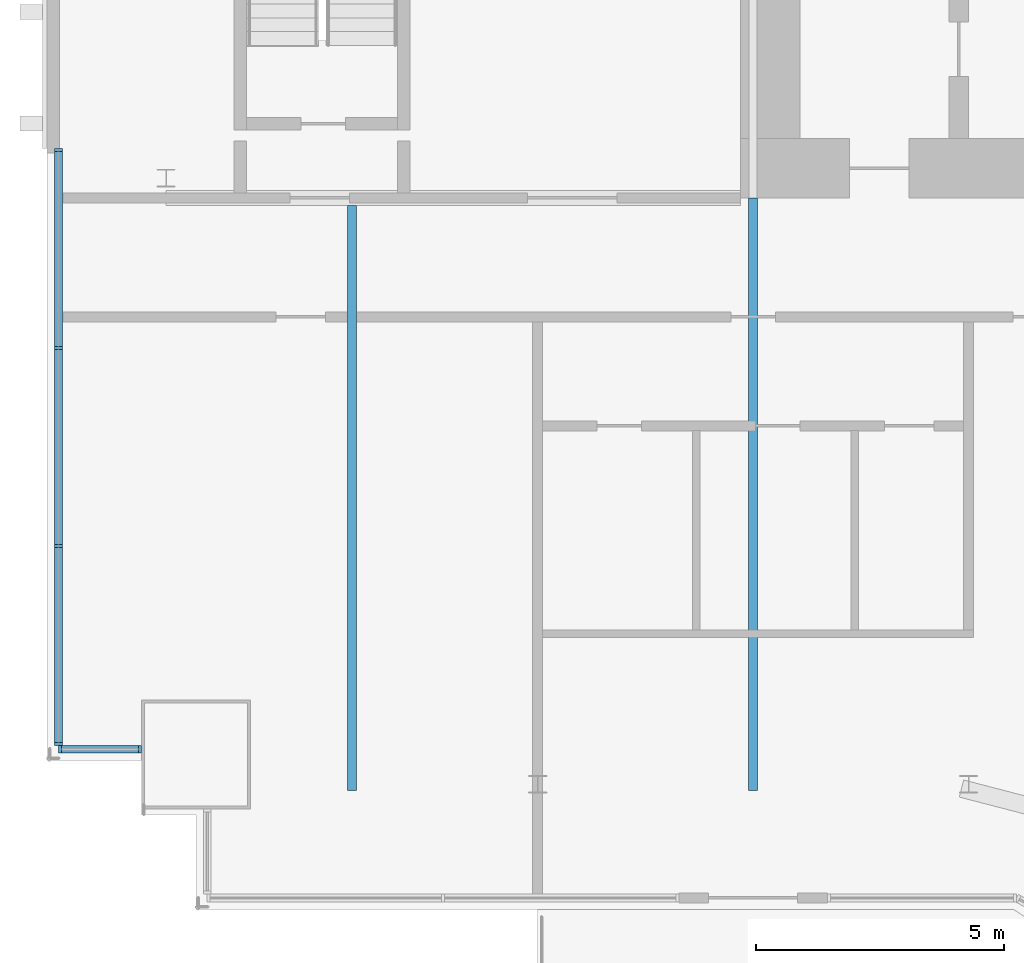
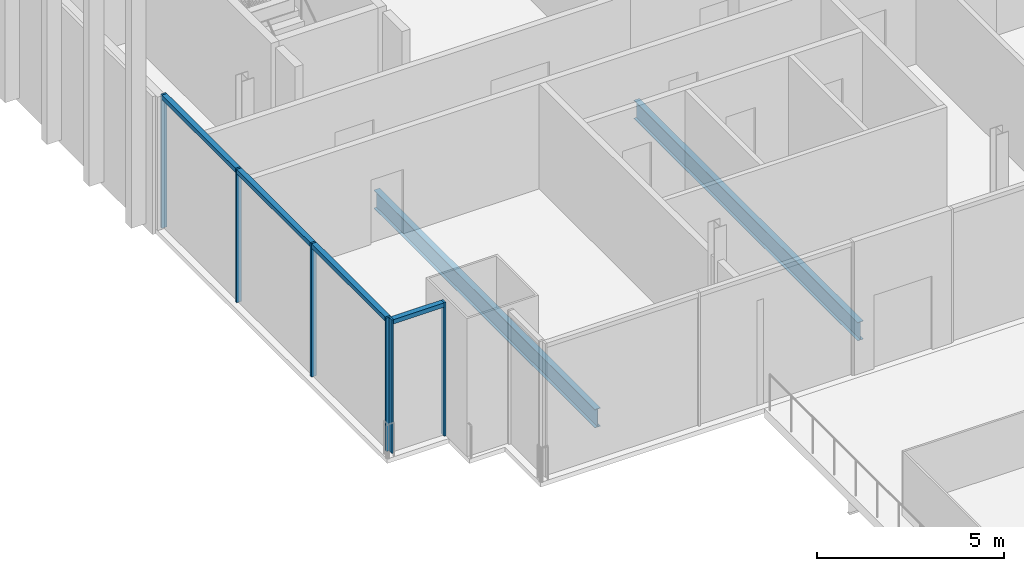
# One storey, part 6 of 22: 10 members, 2 beams, 2 elements without a shape of their own.
"""IFC4 building model written with IfcOpenShell, lengths in metres."""

from ifc_helpers import new_model, si_unit, direction, frame, origin, origin_2d, place, context, subcontext, project, spatial, rectangle, i_section, extrude, material, material_profile, profile_set, type_object, element, aggregate, save


model = new_model("IFC4")

# Units and contexts
model_context = context("Model", 3, precision=1e-05, world=origin(), true_north=direction((0.0, 1.0)))
body_context = subcontext(model_context, "Body", "Model", "MODEL_VIEW")
ifc_project = project(units=[si_unit("LENGTHUNIT", "METRE"), si_unit("AREAUNIT", "SQUARE_METRE"), si_unit("VOLUMEUNIT", "CUBIC_METRE"), si_unit("PLANEANGLEUNIT", "RADIAN"), si_unit("MASSUNIT", "GRAM", prefix="KILO")], contexts=[model_context])

# Site, building, storey
site_placement = place(None, origin())
site = spatial("IfcSite", under=ifc_project, at=site_placement, CompositionType="ELEMENT")
building_placement = place(site_placement, origin())
building = spatial("IfcBuilding", under=site, at=building_placement, Name="Bicima Exchange Tower", CompositionType="ELEMENT")
storey_placement = place(building_placement, frame((0.0, 0.0, 293.0)))
storey = spatial("IfcBuildingStorey", under=building, at=storey_placement, Name="L66", CompositionType="ELEMENT", Elevation=293.0)

# Curtain wall, members
ifc_material_1 = material(Name="Anodised bronze aluminium", Category="aluminium")
curtain_wall_type_1 = type_object("IfcCurtainWallType", Name="End face glass wall", PredefinedType="NOTDEFINED", material=ifc_material_1)
curtain_wall_1_placement = place(storey_placement, origin())
curtain_wall_1 = element("IfcCurtainWall", 1, at=curtain_wall_1_placement, inside=storey, type_object=curtain_wall_type_1, Name="End face glass wall L66 run 2", PredefinedType="NOTDEFINED")
ifc_material_profile_1 = material_profile(ifc_material_1, rectangle(XDim=0.159912109375, YDim=0.06005859375, at=origin_2d()))
ifc_profile_set_1 = profile_set([ifc_material_profile_1], Name="Anodised bronze aluminium")
member_type_1 = type_object("IfcMemberType", Name="End face glass wall mullion 60 x 160", PredefinedType="MULLION", material=ifc_profile_set_1)
member_1_placement = place(storey_placement, frame((-35.77001953125, -12.030029296875, 0.0), z_axis=(0.0, 0.0, 1.0), x_axis=(1.0, 0.0, 0.0)))
member_1 = element("IfcMember", 2, at=member_1_placement, type_object=member_type_1, Name="End face glass wall mullion 1", PredefinedType="MULLION", context=body_context, shape_type="SweptSolid", body=[
    extrude(rectangle(XDim=0.159912109375, YDim=0.06005859375, at=origin_2d()), origin(), (0.0, 0.0, 1.0), 4.35009765625),
])
member_2_placement = place(storey_placement, frame((-35.77001953125, -16.026611328125, 0.0), z_axis=(0.0, 0.0, 1.0), x_axis=(1.0, 0.0, 0.0)))
member_2 = element("IfcMember", 3, at=member_2_placement, type_object=member_type_1, Name="End face glass wall mullion 2", PredefinedType="MULLION", context=body_context, shape_type="SweptSolid", body=[
    extrude(rectangle(XDim=0.159912109375, YDim=0.06005859375, at=origin_2d()), origin(), (0.0, 0.0, 1.0), 4.35009765625),
])
member_3_placement = place(storey_placement, frame((-35.77001953125, -20.023193359375, 0.0), z_axis=(0.0, 0.0, 1.0), x_axis=(1.0, 0.0, 0.0)))
member_3 = element("IfcMember", 4, at=member_3_placement, type_object=member_type_1, Name="End face glass wall mullion 3", PredefinedType="MULLION", context=body_context, shape_type="SweptSolid", body=[
    extrude(rectangle(XDim=0.159912109375, YDim=0.06005859375, at=origin_2d()), origin(), (0.0, 0.0, 1.0), 4.35009765625),
])
member_4_placement = place(storey_placement, frame((-35.77001953125, -24.02001953125, 0.0), z_axis=(0.0, 0.0, 1.0), x_axis=(1.0, 0.0, 0.0)))
member_4 = element("IfcMember", 5, at=member_4_placement, type_object=member_type_1, Name="End face glass wall mullion 4", PredefinedType="MULLION", context=body_context, shape_type="SweptSolid", body=[
    extrude(rectangle(XDim=0.159912109375, YDim=0.06005859375, at=origin_2d()), origin(), (0.0, 0.0, 1.0), 4.35009765625),
])
ifc_material_profile_2 = material_profile(ifc_material_1, rectangle(XDim=0.159912109375, YDim=0.139892578125, at=origin_2d()))
ifc_profile_set_2 = profile_set([ifc_material_profile_2], Name="Anodised bronze aluminium")
member_type_2 = type_object("IfcMemberType", Name="End face glass wall transom 140 x 160", PredefinedType="USERDEFINED", material=ifc_profile_set_2)
member_5_placement = place(storey_placement, frame((-35.77001953125, -12.06005859375, 4.280029296875), z_axis=(0.0, -1.0, 0.0), x_axis=(1.0, 0.0, 0.0)))
member_5 = element("IfcMember", 6, at=member_5_placement, type_object=member_type_2, Name="End face glass wall transom 1.1", ObjectType="TRANSOM", PredefinedType="USERDEFINED", context=body_context, shape_type="SweptSolid", body=[
    extrude(rectangle(XDim=0.159912109375, YDim=0.139892578125, at=origin_2d()), origin(), (0.0, 0.0, 1.0), 3.9365234375),
])
member_6_placement = place(storey_placement, frame((-35.77001953125, -16.056640625, 4.280029296875), z_axis=(0.0, -1.0, 0.0), x_axis=(1.0, 0.0, 0.0)))
member_6 = element("IfcMember", 7, at=member_6_placement, type_object=member_type_2, Name="End face glass wall transom 2.1", ObjectType="TRANSOM", PredefinedType="USERDEFINED", context=body_context, shape_type="SweptSolid", body=[
    extrude(rectangle(XDim=0.159912109375, YDim=0.139892578125, at=origin_2d()), origin(), (0.0, 0.0, 1.0), 3.936767578125),
])
member_7_placement = place(storey_placement, frame((-35.77001953125, -20.05322265625, 4.280029296875), z_axis=(0.0, -1.0, 0.0), x_axis=(1.0, 0.0, 0.0)))
member_7 = element("IfcMember", 8, at=member_7_placement, type_object=member_type_2, Name="End face glass wall transom 3.1", ObjectType="TRANSOM", PredefinedType="USERDEFINED", context=body_context, shape_type="SweptSolid", body=[
    extrude(rectangle(XDim=0.159912109375, YDim=0.139892578125, at=origin_2d()), origin(), (0.0, 0.0, 1.0), 3.936767578125),
])
aggregate(curtain_wall_1, [member_1, member_2, member_3, member_4, member_5, member_6, member_7])

# Beams
ifc_material_2 = material(Name="Steel ASTM A992 Gr 50", Category="steel")
ifc_material_profile_3 = material_profile(ifc_material_2, i_section(OverallWidth=0.177978515625, OverallDepth=0.599365234375, WebThickness=0.010009765625, FlangeThickness=0.012939453125, at=origin_2d()))
ifc_profile_set_3 = profile_set([ifc_material_profile_3], Name="Steel ASTM A992 Gr 50")
beam_type = type_object("IfcBeamType", Name="Floor beam W24x55", PredefinedType="JOIST", material=ifc_profile_set_3)
beam_1_placement = place(storey_placement, frame((-29.85009765625, -13.15234375, -0.44970703125), z_axis=(0.0, -1.0, 0.0), x_axis=(1.0, 0.0, 0.0)))
element("IfcBeam", 9, at=beam_1_placement, inside=storey, type_object=beam_type, Name="Floor beam", PredefinedType="JOIST", context=body_context, shape_type="SweptSolid", body=[
    extrude(i_section(OverallWidth=0.177978515625, OverallDepth=0.599365234375, WebThickness=0.010009765625, FlangeThickness=0.012939453125, at=origin_2d()), origin(), (0.0, 0.0, 1.0), 11.8076171875),
])
beam_2_placement = place(storey_placement, frame((-21.75, -13.0, -0.44970703125), z_axis=(0.0, -1.0, 0.0), x_axis=(1.0, 0.0, 0.0)))
element("IfcBeam", 10, at=beam_2_placement, inside=storey, type_object=beam_type, Name="Floor beam", PredefinedType="JOIST", context=body_context, shape_type="SweptSolid", body=[
    extrude(i_section(OverallWidth=0.177978515625, OverallDepth=0.599365234375, WebThickness=0.010009765625, FlangeThickness=0.012939453125, at=origin_2d()), origin(), (0.0, 0.0, 1.0), 11.9599609375),
])

# Curtain wall, members
curtain_wall_type_2 = type_object("IfcCurtainWallType", Name="Front glass wall", PredefinedType="NOTDEFINED", material=ifc_material_1)
curtain_wall_2_placement = place(storey_placement, origin())
curtain_wall_2 = element("IfcCurtainWall", 11, at=curtain_wall_2_placement, inside=storey, type_object=curtain_wall_type_2, Name="Front glass wall L66 run 3", PredefinedType="NOTDEFINED")
member_type_3 = type_object("IfcMemberType", Name="Front glass wall mullion 60 x 160", PredefinedType="MULLION", material=ifc_profile_set_1)
member_8_placement = place(storey_placement, frame((-35.739990234375, -24.1298828125, 0.0), z_axis=(0.0, 0.0, 1.0), x_axis=(0.0, 1.0, 0.0)))
member_8 = element("IfcMember", 12, at=member_8_placement, type_object=member_type_3, Name="Front glass wall mullion 1", PredefinedType="MULLION", context=body_context, shape_type="SweptSolid", body=[
    extrude(rectangle(XDim=0.159912109375, YDim=0.06005859375, at=origin_2d()), origin(), (0.0, 0.0, 1.0), 4.35009765625),
])
member_9_placement = place(storey_placement, frame((-34.1298828125, -24.1298828125, 0.0), z_axis=(0.0, 0.0, 1.0), x_axis=(0.0, 1.0, 0.0)))
member_9 = element("IfcMember", 13, at=member_9_placement, type_object=member_type_3, Name="Front glass wall mullion 2", PredefinedType="MULLION", context=body_context, shape_type="SweptSolid", body=[
    extrude(rectangle(XDim=0.159912109375, YDim=0.06005859375, at=origin_2d()), origin(), (0.0, 0.0, 1.0), 4.35009765625),
])
member_type_4 = type_object("IfcMemberType", Name="Front glass wall transom 140 x 160", PredefinedType="USERDEFINED", material=ifc_profile_set_2)
member_10_placement = place(storey_placement, frame((-35.7099609375, -24.1298828125, 4.280029296875), z_axis=(1.0, 0.0, 0.0), x_axis=(0.0, 1.0, 0.0)))
member_10 = element("IfcMember", 14, at=member_10_placement, type_object=member_type_4, Name="Front glass wall transom 1.1", ObjectType="TRANSOM", PredefinedType="USERDEFINED", context=body_context, shape_type="SweptSolid", body=[
    extrude(rectangle(XDim=0.159912109375, YDim=0.139892578125, at=origin_2d()), origin(), (0.0, 0.0, 1.0), 1.550048828125),
])
aggregate(curtain_wall_2, [member_8, member_9, member_10])

save(model, "model.ifc")
